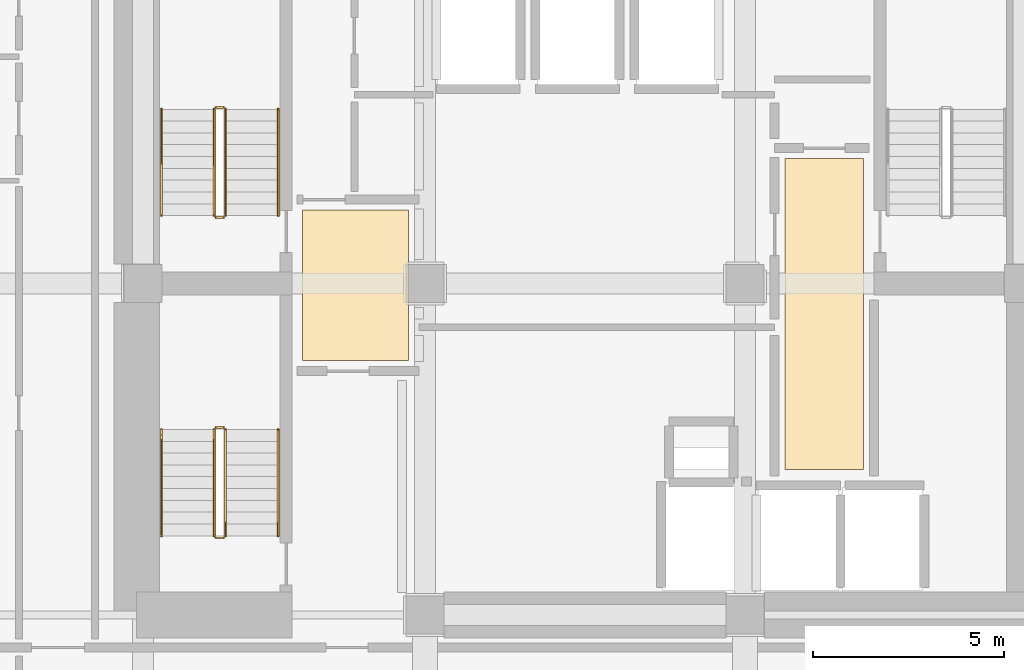
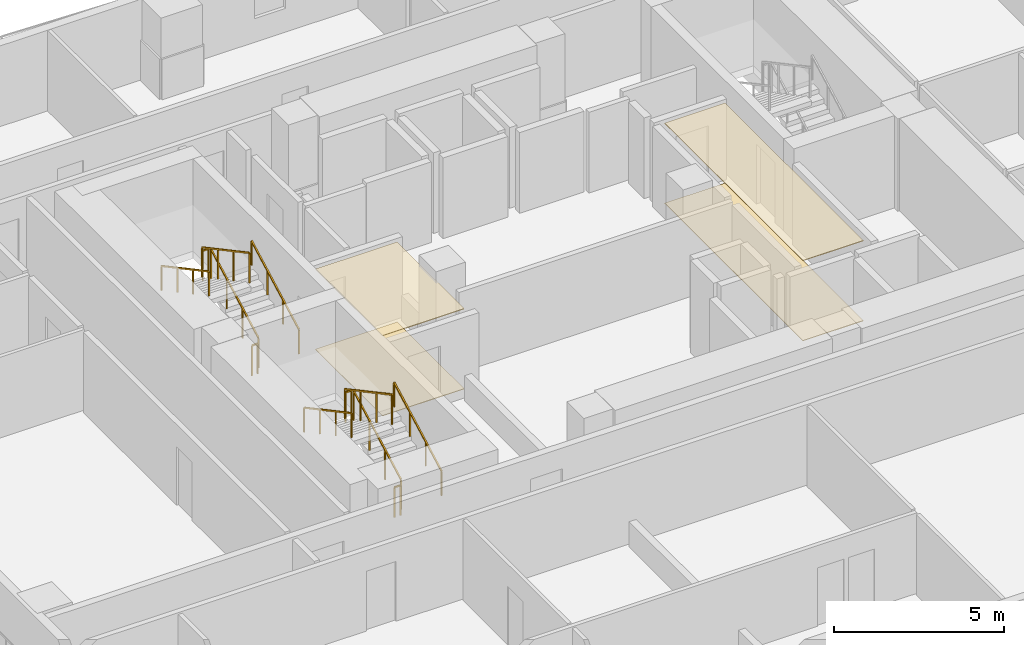
# One storey, part 8 of 10: 12 railings, 4 coverings.
"""IFC4 building model written with IfcOpenShell, lengths in metres."""

from ifc_helpers import new_model, si_unit, direction, frame, origin, origin_2d, place, context, subcontext, project, spatial, polyline, rectangle, outline, extrude, material, layer, layer_set, type_object, element, save


model = new_model("IFC4")

# Units and contexts
model_context = context("Model", 3, precision=1e-05, world=origin(), true_north=direction((0.0, 1.0)))
body_context = subcontext(model_context, "Body", "Model", "MODEL_VIEW")
ifc_project = project(units=[si_unit("LENGTHUNIT", "METRE"), si_unit("AREAUNIT", "SQUARE_METRE"), si_unit("VOLUMEUNIT", "CUBIC_METRE"), si_unit("PLANEANGLEUNIT", "RADIAN"), si_unit("MASSUNIT", "GRAM", prefix="KILO")], contexts=[model_context])

# Site, building, storey
site_placement = place(None, origin())
site = spatial("IfcSite", under=ifc_project, at=site_placement, CompositionType="ELEMENT")
building_placement = place(site_placement, origin())
building = spatial("IfcBuilding", under=site, at=building_placement, Name="Solanera Arch Residences", CompositionType="ELEMENT")
storey_placement = place(building_placement, frame((0.0, 0.0, 38.60009765625)))
storey = spatial("IfcBuildingStorey", under=building, at=storey_placement, Name="L10", CompositionType="ELEMENT", Elevation=38.60009765625)

# Coverings
ifc_material_1 = material(Name="Porcelain Acoustic Floor Tile", Category="ceramic")
ifc_layer_1 = layer(ifc_material_1, 0.02001953125)
ifc_layer_set_1 = layer_set([ifc_layer_1], Name="Porcelain Acoustic Floor Tile")
covering_type_1 = type_object("IfcCoveringType", Name="Porcelain Acoustic Floor Finish FLR-20", PredefinedType="FLOORING", material=ifc_layer_set_1)
covering_1_placement = place(storey_placement, origin())
element("IfcCovering", 1, at=covering_1_placement, inside=storey, type_object=covering_type_1, Name="L10-FFL-W Porcelain Floor Finish", PredefinedType="FLOORING", context=body_context, shape_type="SweptSolid", body=[
    extrude(outline(polyline([(20.375, 28.675048828125), (17.594970703125, 28.675048828125), (17.594970703125, 32.625), (20.375, 32.625), (20.375, 28.675048828125)])), origin(), (0.0, 0.0, 1.0), 0.02001953125),
])
covering_2_placement = place(storey_placement, origin())
element("IfcCovering", 2, at=covering_2_placement, inside=storey, type_object=covering_type_1, Name="L10-FFL-E Porcelain Floor Finish", PredefinedType="FLOORING", context=body_context, shape_type="SweptSolid", body=[
    extrude(outline(polyline([(32.304931640625, 25.824951171875), (30.25, 25.824951171875), (30.25, 33.97509765625), (32.304931640625, 33.97509765625), (32.304931640625, 25.824951171875)])), origin(), (0.0, 0.0, 1.0), 0.02001953125),
])

# Railings
ifc_material_2 = material(Name="Steel S355 (ASTM A992 / A572 Grade 50)", Category="steel")
railing_type_1 = type_object("IfcRailingType", Name="Stair Guardrail GR-1100", PredefinedType="GUARDRAIL", material=ifc_material_2)
railing_1_placement = place(storey_placement, frame((15.570068359375, 32.47998046875, 0.15087890625)))
element("IfcRailing", 3, at=railing_1_placement, inside=storey, type_object=railing_type_1, Name="L10 ST-T1 stair guard 1", PredefinedType="GUARDRAIL", context=body_context, shape_type="SweptSolid", body=[
    extrude(rectangle(XDim=0.048095703125, YDim=0.048095703125, at=origin_2d()), frame((0.0, 0.0, 1.076171875), z_axis=(0.0, 0.881548766853, 0.472092969298), x_axis=(-1.0, 0.0, 0.0)), (0.0, 0.0, 1.0), 3.1650390625),
    extrude(rectangle(XDim=0.0419921875, YDim=0.0419921875, at=origin_2d()), origin(), (0.0, 0.0, 1.0), 1.052001953125),
    extrude(rectangle(XDim=0.0419921875, YDim=0.0419921875, at=origin_2d()), frame((0.0, 0.929931640625, 0.498046875)), (0.0, 0.0, 1.0), 1.052001953125),
    extrude(rectangle(XDim=0.0419921875, YDim=0.0419921875, at=origin_2d()), frame((0.0, 1.860107421875, 0.99609375)), (0.0, 0.0, 1.0), 1.052001953125),
    extrude(rectangle(XDim=0.0419921875, YDim=0.0419921875, at=origin_2d()), frame((0.0, 2.7900390625, 1.494140625)), (0.0, 0.0, 1.0), 1.052001953125),
])
railing_2_placement = place(storey_placement, frame((15.52001953125, 35.320068359375, 1.64501953125)))
element("IfcRailing", 4, at=railing_2_placement, inside=storey, type_object=railing_type_1, Name="L10 ST-T1 stair guard 2", PredefinedType="GUARDRAIL", context=body_context, shape_type="SweptSolid", body=[
    extrude(rectangle(XDim=0.048095703125, YDim=0.048095703125, at=origin_2d()), frame((0.0, 0.0, 1.076171875), z_axis=(-1.0, 0.0, 0.0), x_axis=(0.0, -1.0, 0.0)), (0.0, 0.0, 1.0), 0.199951171875),
    extrude(rectangle(XDim=0.0419921875, YDim=0.0419921875, at=origin_2d()), origin(), (0.0, 0.0, 1.0), 1.052001953125),
    extrude(rectangle(XDim=0.0419921875, YDim=0.0419921875, at=origin_2d()), frame((-0.199951171875, 0.0, 0.0)), (0.0, 0.0, 1.0), 1.052001953125),
])
railing_3_placement = place(storey_placement, frame((15.27001953125, 35.27001953125, 1.810791015625)))
element("IfcRailing", 5, at=railing_3_placement, inside=storey, type_object=railing_type_1, Name="L10 ST-T1 stair guard 3", PredefinedType="GUARDRAIL", context=body_context, shape_type="SweptSolid", body=[
    extrude(rectangle(XDim=0.048095703125, YDim=0.048095703125, at=origin_2d()), frame((0.0, 0.0, 1.076171875), z_axis=(0.0, -0.881548766853, 0.472092969298), x_axis=(1.0, 0.0, 0.0)), (0.0, 0.0, 1.0), 3.1650390625),
    extrude(rectangle(XDim=0.0419921875, YDim=0.0419921875, at=origin_2d()), origin(), (0.0, 0.0, 1.0), 1.052001953125),
    extrude(rectangle(XDim=0.0419921875, YDim=0.0419921875, at=origin_2d()), frame((0.0, -0.929931640625, 0.498046875)), (0.0, 0.0, 1.0), 1.052001953125),
    extrude(rectangle(XDim=0.0419921875, YDim=0.0419921875, at=origin_2d()), frame((0.0, -1.860107421875, 0.99609375)), (0.0, 0.0, 1.0), 1.052001953125),
    extrude(rectangle(XDim=0.0419921875, YDim=0.0419921875, at=origin_2d()), frame((0.0, -2.7900390625, 1.494140625)), (0.0, 0.0, 1.0), 1.052001953125),
])
railing_4_placement = place(storey_placement, frame((15.52001953125, 32.429931640625, -0.01513671875)))
element("IfcRailing", 6, at=railing_4_placement, inside=storey, type_object=railing_type_1, Name="L10 ST-T1 stair guard 4", PredefinedType="GUARDRAIL", context=body_context, shape_type="SweptSolid", body=[
    extrude(rectangle(XDim=0.048095703125, YDim=0.048095703125, at=origin_2d()), frame((0.0, 0.0, 1.076171875), z_axis=(-1.0, 0.0, 0.0), x_axis=(0.0, -1.0, 0.0)), (0.0, 0.0, 1.0), 0.199951171875),
    extrude(rectangle(XDim=0.0419921875, YDim=0.0419921875, at=origin_2d()), origin(), (0.0, 0.0, 1.0), 1.052001953125),
    extrude(rectangle(XDim=0.0419921875, YDim=0.0419921875, at=origin_2d()), frame((-0.199951171875, 0.0, 0.0)), (0.0, 0.0, 1.0), 1.052001953125),
])
railing_5_placement = place(storey_placement, frame((15.570068359375, 24.080078125, 0.15087890625)))
element("IfcRailing", 7, at=railing_5_placement, inside=storey, type_object=railing_type_1, Name="L10 ST-T3 stair guard 1", PredefinedType="GUARDRAIL", context=body_context, shape_type="SweptSolid", body=[
    extrude(rectangle(XDim=0.048095703125, YDim=0.048095703125, at=origin_2d()), frame((0.0, 0.0, 1.076171875), z_axis=(0.0, 0.881548766853, 0.472092969298), x_axis=(-1.0, 0.0, 0.0)), (0.0, 0.0, 1.0), 3.1650390625),
    extrude(rectangle(XDim=0.0419921875, YDim=0.0419921875, at=origin_2d()), origin(), (0.0, 0.0, 1.0), 1.052001953125),
    extrude(rectangle(XDim=0.0419921875, YDim=0.0419921875, at=origin_2d()), frame((0.0, 0.929931640625, 0.498046875)), (0.0, 0.0, 1.0), 1.052001953125),
    extrude(rectangle(XDim=0.0419921875, YDim=0.0419921875, at=origin_2d()), frame((0.0, 1.860107421875, 0.99609375)), (0.0, 0.0, 1.0), 1.052001953125),
    extrude(rectangle(XDim=0.0419921875, YDim=0.0419921875, at=origin_2d()), frame((0.0, 2.7900390625, 1.494140625)), (0.0, 0.0, 1.0), 1.052001953125),
])
railing_6_placement = place(storey_placement, frame((15.52001953125, 26.919921875, 1.64501953125)))
element("IfcRailing", 8, at=railing_6_placement, inside=storey, type_object=railing_type_1, Name="L10 ST-T3 stair guard 2", PredefinedType="GUARDRAIL", context=body_context, shape_type="SweptSolid", body=[
    extrude(rectangle(XDim=0.048095703125, YDim=0.048095703125, at=origin_2d()), frame((0.0, 0.0, 1.076171875), z_axis=(-1.0, 0.0, 0.0), x_axis=(0.0, -1.0, 0.0)), (0.0, 0.0, 1.0), 0.199951171875),
    extrude(rectangle(XDim=0.0419921875, YDim=0.0419921875, at=origin_2d()), origin(), (0.0, 0.0, 1.0), 1.052001953125),
    extrude(rectangle(XDim=0.0419921875, YDim=0.0419921875, at=origin_2d()), frame((-0.199951171875, 0.0, 0.0)), (0.0, 0.0, 1.0), 1.052001953125),
])
railing_7_placement = place(storey_placement, frame((15.27001953125, 26.8701171875, 1.810791015625)))
element("IfcRailing", 9, at=railing_7_placement, inside=storey, type_object=railing_type_1, Name="L10 ST-T3 stair guard 3", PredefinedType="GUARDRAIL", context=body_context, shape_type="SweptSolid", body=[
    extrude(rectangle(XDim=0.048095703125, YDim=0.048095703125, at=origin_2d()), frame((0.0, 0.0, 1.076171875), z_axis=(0.0, -0.881548766853, 0.472092969298), x_axis=(1.0, 0.0, 0.0)), (0.0, 0.0, 1.0), 3.1650390625),
    extrude(rectangle(XDim=0.0419921875, YDim=0.0419921875, at=origin_2d()), origin(), (0.0, 0.0, 1.0), 1.052001953125),
    extrude(rectangle(XDim=0.0419921875, YDim=0.0419921875, at=origin_2d()), frame((0.0, -0.929931640625, 0.498046875)), (0.0, 0.0, 1.0), 1.052001953125),
    extrude(rectangle(XDim=0.0419921875, YDim=0.0419921875, at=origin_2d()), frame((0.0, -1.860107421875, 0.99609375)), (0.0, 0.0, 1.0), 1.052001953125),
    extrude(rectangle(XDim=0.0419921875, YDim=0.0419921875, at=origin_2d()), frame((0.0, -2.7900390625, 1.494140625)), (0.0, 0.0, 1.0), 1.052001953125),
])
railing_8_placement = place(storey_placement, frame((15.52001953125, 24.030029296875, -0.01513671875)))
element("IfcRailing", 10, at=railing_8_placement, inside=storey, type_object=railing_type_1, Name="L10 ST-T3 stair guard 4", PredefinedType="GUARDRAIL", context=body_context, shape_type="SweptSolid", body=[
    extrude(rectangle(XDim=0.048095703125, YDim=0.048095703125, at=origin_2d()), frame((0.0, 0.0, 1.076171875), z_axis=(-1.0, 0.0, 0.0), x_axis=(0.0, -1.0, 0.0)), (0.0, 0.0, 1.0), 0.199951171875),
    extrude(rectangle(XDim=0.0419921875, YDim=0.0419921875, at=origin_2d()), origin(), (0.0, 0.0, 1.0), 1.052001953125),
    extrude(rectangle(XDim=0.0419921875, YDim=0.0419921875, at=origin_2d()), frame((-0.199951171875, 0.0, 0.0)), (0.0, 0.0, 1.0), 1.052001953125),
])
ifc_material_3 = material(Name="Steel S355 (ASTM A992 / A572 Grade 50)", Category="steel")
railing_type_2 = type_object("IfcRailingType", Name="Stair Wall Handrail HR-920", PredefinedType="HANDRAIL", material=ifc_material_3)
railing_9_placement = place(storey_placement, frame((16.949951171875, 32.47998046875, 0.166015625)))
element("IfcRailing", 11, at=railing_9_placement, inside=storey, type_object=railing_type_2, Name="L10 ST-T1 stair handrail 1", PredefinedType="HANDRAIL", context=body_context, shape_type="SweptSolid", body=[
    extrude(rectangle(XDim=0.048095703125, YDim=0.048095703125, at=origin_2d()), frame((0.0, 0.0, 0.8759765625), z_axis=(0.0, 0.881580869306, 0.472033018838), x_axis=(-1.0, 0.0, 0.0)), (0.0, 0.0, 1.0), 3.164794921875),
    extrude(rectangle(XDim=0.0419921875, YDim=0.0419921875, at=origin_2d()), origin(), (0.0, 0.0, 1.0), 0.851806640625),
    extrude(rectangle(XDim=0.0419921875, YDim=0.0419921875, at=origin_2d()), frame((0.0, 0.929931640625, 0.498046875)), (0.0, 0.0, 1.0), 0.851806640625),
    extrude(rectangle(XDim=0.0419921875, YDim=0.0419921875, at=origin_2d()), frame((0.0, 1.860107421875, 0.995849609375)), (0.0, 0.0, 1.0), 0.851806640625),
    extrude(rectangle(XDim=0.0419921875, YDim=0.0419921875, at=origin_2d()), frame((0.0, 2.7900390625, 1.493896484375)), (0.0, 0.0, 1.0), 0.851806640625),
])
railing_10_placement = place(storey_placement, frame((13.889892578125, 35.27001953125, 1.825927734375)))
element("IfcRailing", 12, at=railing_10_placement, inside=storey, type_object=railing_type_2, Name="L10 ST-T1 stair handrail 2", PredefinedType="HANDRAIL", context=body_context, shape_type="SweptSolid", body=[
    extrude(rectangle(XDim=0.048095703125, YDim=0.048095703125, at=origin_2d()), frame((0.0, 0.0, 0.8759765625), z_axis=(0.0, -0.881580869306, 0.472033018838), x_axis=(1.0, 0.0, 0.0)), (0.0, 0.0, 1.0), 3.164794921875),
    extrude(rectangle(XDim=0.0419921875, YDim=0.0419921875, at=origin_2d()), origin(), (0.0, 0.0, 1.0), 0.851806640625),
    extrude(rectangle(XDim=0.0419921875, YDim=0.0419921875, at=origin_2d()), frame((0.0, -0.929931640625, 0.498046875)), (0.0, 0.0, 1.0), 0.851806640625),
    extrude(rectangle(XDim=0.0419921875, YDim=0.0419921875, at=origin_2d()), frame((0.0, -1.860107421875, 0.995849609375)), (0.0, 0.0, 1.0), 0.851806640625),
    extrude(rectangle(XDim=0.0419921875, YDim=0.0419921875, at=origin_2d()), frame((0.0, -2.7900390625, 1.493896484375)), (0.0, 0.0, 1.0), 0.851806640625),
])
railing_11_placement = place(storey_placement, frame((16.949951171875, 24.080078125, 0.166015625)))
element("IfcRailing", 13, at=railing_11_placement, inside=storey, type_object=railing_type_2, Name="L10 ST-T3 stair handrail 1", PredefinedType="HANDRAIL", context=body_context, shape_type="SweptSolid", body=[
    extrude(rectangle(XDim=0.048095703125, YDim=0.048095703125, at=origin_2d()), frame((0.0, 0.0, 0.8759765625), z_axis=(0.0, 0.881580869306, 0.472033018838), x_axis=(-1.0, 0.0, 0.0)), (0.0, 0.0, 1.0), 3.164794921875),
    extrude(rectangle(XDim=0.0419921875, YDim=0.0419921875, at=origin_2d()), origin(), (0.0, 0.0, 1.0), 0.851806640625),
    extrude(rectangle(XDim=0.0419921875, YDim=0.0419921875, at=origin_2d()), frame((0.0, 0.929931640625, 0.498046875)), (0.0, 0.0, 1.0), 0.851806640625),
    extrude(rectangle(XDim=0.0419921875, YDim=0.0419921875, at=origin_2d()), frame((0.0, 1.860107421875, 0.995849609375)), (0.0, 0.0, 1.0), 0.851806640625),
    extrude(rectangle(XDim=0.0419921875, YDim=0.0419921875, at=origin_2d()), frame((0.0, 2.7900390625, 1.493896484375)), (0.0, 0.0, 1.0), 0.851806640625),
])
railing_12_placement = place(storey_placement, frame((13.889892578125, 26.8701171875, 1.825927734375)))
element("IfcRailing", 14, at=railing_12_placement, inside=storey, type_object=railing_type_2, Name="L10 ST-T3 stair handrail 2", PredefinedType="HANDRAIL", context=body_context, shape_type="SweptSolid", body=[
    extrude(rectangle(XDim=0.048095703125, YDim=0.048095703125, at=origin_2d()), frame((0.0, 0.0, 0.8759765625), z_axis=(0.0, -0.881580869306, 0.472033018838), x_axis=(1.0, 0.0, 0.0)), (0.0, 0.0, 1.0), 3.164794921875),
    extrude(rectangle(XDim=0.0419921875, YDim=0.0419921875, at=origin_2d()), origin(), (0.0, 0.0, 1.0), 0.851806640625),
    extrude(rectangle(XDim=0.0419921875, YDim=0.0419921875, at=origin_2d()), frame((0.0, -0.929931640625, 0.498046875)), (0.0, 0.0, 1.0), 0.851806640625),
    extrude(rectangle(XDim=0.0419921875, YDim=0.0419921875, at=origin_2d()), frame((0.0, -1.860107421875, 0.995849609375)), (0.0, 0.0, 1.0), 0.851806640625),
    extrude(rectangle(XDim=0.0419921875, YDim=0.0419921875, at=origin_2d()), frame((0.0, -2.7900390625, 1.493896484375)), (0.0, 0.0, 1.0), 0.851806640625),
])

# Coverings
ifc_material_4 = material(Name="Mineral Fibre Acoustic Ceiling Board", Category="gypsum")
ifc_layer_2 = layer(ifc_material_4, 0.02490234375)
ifc_layer_set_2 = layer_set([ifc_layer_2], Name="Mineral Fibre Acoustic Ceiling Board")
covering_type_2 = type_object("IfcCoveringType", Name="Suspended Acoustic Ceiling Board CLG-25", PredefinedType="CEILING", material=ifc_layer_set_2)
covering_3_placement = place(storey_placement, frame((0.0, 0.0, 2.875)))
element("IfcCovering", 15, at=covering_3_placement, inside=storey, type_object=covering_type_2, Name="L10-FFL-W Acoustic Ceiling", PredefinedType="CEILING", context=body_context, shape_type="SweptSolid", body=[
    extrude(outline(polyline([(20.375, 28.675048828125), (17.594970703125, 28.675048828125), (17.594970703125, 32.625), (20.375, 32.625), (20.375, 28.675048828125)])), origin(), (0.0, 0.0, 1.0), 0.02490234375),
])
covering_4_placement = place(storey_placement, frame((0.0, 0.0, 2.875)))
element("IfcCovering", 16, at=covering_4_placement, inside=storey, type_object=covering_type_2, Name="L10-FFL-E Acoustic Ceiling", PredefinedType="CEILING", context=body_context, shape_type="SweptSolid", body=[
    extrude(outline(polyline([(32.304931640625, 25.824951171875), (30.25, 25.824951171875), (30.25, 33.97509765625), (32.304931640625, 33.97509765625), (32.304931640625, 25.824951171875)])), origin(), (0.0, 0.0, 1.0), 0.02490234375),
])

save(model, "model.ifc")
